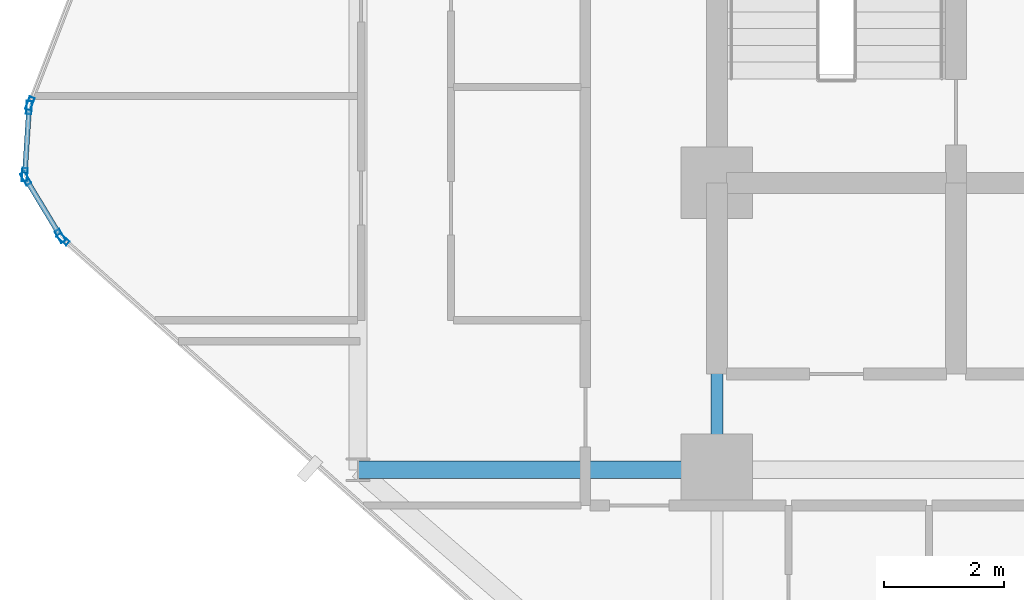
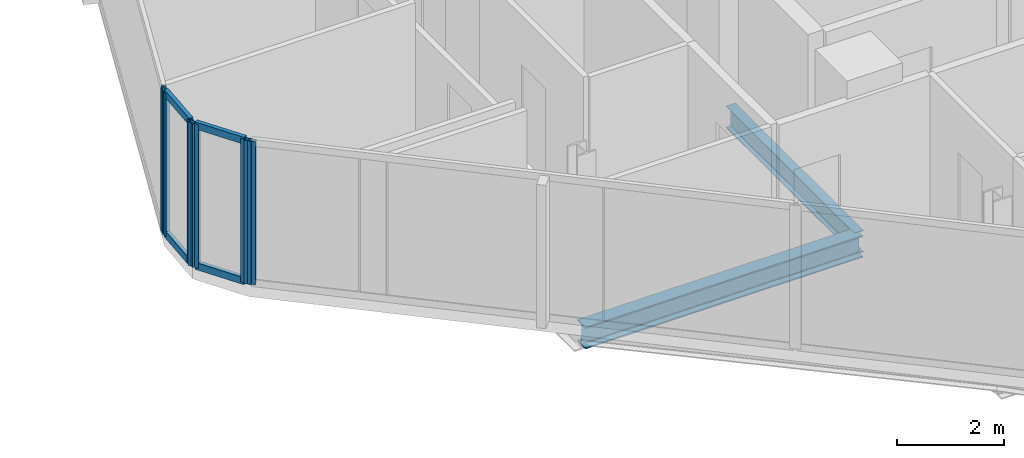
# One storey, part 6 of 34: 10 members, 2 beams, 4 elements without a shape of their own.
"""IFC4 building model written with IfcOpenShell, lengths in metres."""

from ifc_helpers import new_model, si_unit, direction, frame, origin, origin_2d, place, context, subcontext, project, spatial, hollow_rectangle, i_section, extrude, material, layer, layer_set, material_profile, profile_set, type_object, element, aggregate, save


model = new_model("IFC4")

# Units and contexts
model_context = context("Model", 3, precision=1e-05, world=origin(), true_north=direction((0.0, 1.0)))
body_context = subcontext(model_context, "Body", "Model", "MODEL_VIEW")
ifc_project = project(units=[si_unit("LENGTHUNIT", "METRE"), si_unit("AREAUNIT", "SQUARE_METRE"), si_unit("VOLUMEUNIT", "CUBIC_METRE"), si_unit("PLANEANGLEUNIT", "RADIAN"), si_unit("MASSUNIT", "GRAM", prefix="KILO")], contexts=[model_context])

# Site, building, storey
site_placement = place(None, origin())
site = spatial("IfcSite", under=ifc_project, at=site_placement, CompositionType="ELEMENT")
building_placement = place(site_placement, origin())
building = spatial("IfcBuilding", under=site, at=building_placement, Name="Keshet Zoharim Tower", CompositionType="ELEMENT")
storey_placement = place(building_placement, frame((0.0, 0.0, 77.5)))
storey = spatial("IfcBuildingStorey", under=building, at=storey_placement, Name="L18", CompositionType="ELEMENT", Elevation=77.5)

# Beams
ifc_material_1 = material(Name="Steel S355", Category="steel")
ifc_material_profile_1 = material_profile(ifc_material_1, i_section(OverallWidth=0.199951171875, OverallDepth=0.5, WebThickness=0.01025390625, FlangeThickness=0.01611328125, FilletRadius=0.02099609375, at=origin_2d()), Name="IPE500")
ifc_profile_set_1 = profile_set([ifc_material_profile_1], Name="Steel S355")
beam_type_1 = type_object("IfcBeamType", Name="BM-PRI-IP500", PredefinedType="BEAM", material=ifc_profile_set_1)
beam_1_placement = place(storey_placement, frame((15.0, 17.89990234375, -0.56494140625), z_axis=(0.0, 1.0, 0.0), x_axis=(-1.0, 0.0, 0.0)))
element("IfcBeam", 1, at=beam_1_placement, inside=storey, type_object=beam_type_1, Name="L18 Primary Girder Y-003", PredefinedType="BEAM", context=body_context, shape_type="SweptSolid", body=[
    extrude(i_section(OverallWidth=0.199951171875, OverallDepth=0.5, WebThickness=0.01025390625, FlangeThickness=0.01611328125, FilletRadius=0.02099609375, at=origin_2d()), origin(), (0.0, 0.0, 1.0), 4.800048828125),
])
ifc_material_profile_2 = material_profile(ifc_material_1, i_section(OverallWidth=0.300048828125, OverallDepth=0.5, WebThickness=0.014404296875, FlangeThickness=0.028076171875, FilletRadius=0.027099609375, at=origin_2d()), Name="HEB500")
ifc_profile_set_2 = profile_set([ifc_material_profile_2], Name="Steel S355")
beam_type_2 = type_object("IfcBeamType", Name="BM-WEB-HB500", PredefinedType="BEAM", material=ifc_profile_set_2)
beam_2_placement = place(storey_placement, frame((9.0, 17.89990234375, -0.56494140625), z_axis=(1.0, 0.0, 0.0), x_axis=(0.0, 1.0, 0.0)))
element("IfcBeam", 2, at=beam_2_placement, inside=storey, type_object=beam_type_2, Name="L18 Primary Girder X-015", PredefinedType="BEAM", context=body_context, shape_type="SweptSolid", body=[
    extrude(i_section(OverallWidth=0.300048828125, OverallDepth=0.5, WebThickness=0.014404296875, FlangeThickness=0.028076171875, FilletRadius=0.027099609375, at=origin_2d()), origin(), (0.0, 0.0, 1.0), 6.0),
])

# Curtain wall, member
ifc_material_2 = material(Name="Aluminium 6063-T6", Category="aluminium")
ifc_layer = layer(ifc_material_2, 0.179931640625)
ifc_layer_set = layer_set([ifc_layer], Name="Aluminium 6063-T6")
curtain_wall_type = type_object("IfcCurtainWallType", Name="CW-SYS-01", PredefinedType="NOTDEFINED", material=ifc_layer_set)
curtain_wall_1_placement = place(storey_placement, origin())
curtain_wall_1 = element("IfcCurtainWall", 3, at=curtain_wall_1_placement, inside=storey, type_object=curtain_wall_type, Name="L18 Unitised Curtain Wall 01 Part 2", PredefinedType="NOTDEFINED")
ifc_material_profile_3 = material_profile(ifc_material_2, hollow_rectangle(XDim=0.090087890625, YDim=0.219970703125, WallThickness=0.0048828125, at=origin_2d()), Name="MUL-90x220")
ifc_profile_set_3 = profile_set([ifc_material_profile_3], Name="Aluminium 6063-T6")
member_type_1 = type_object("IfcMemberType", Name="CWM-M22", PredefinedType="MULLION", material=ifc_profile_set_3)
member_1_placement = place(storey_placement, frame((4.061279296875, 21.7568359375, 0.0), z_axis=(0.0, 0.0, 1.0), x_axis=(-0.664363542406, -0.747409582171, 0.0)))
member_1 = element("IfcMember", 4, at=member_1_placement, type_object=member_type_1, Name="CW-01 mullion 3", PredefinedType="MULLION", context=body_context, shape_type="SweptSolid", body=[
    extrude(hollow_rectangle(XDim=0.090087890625, YDim=0.219970703125, WallThickness=0.0048828125, at=origin_2d()), origin(), (0.0, 0.0, 1.0), 3.280029296875),
])
aggregate(curtain_wall_1, [member_1])

# Curtain wall, members
curtain_wall_2_placement = place(storey_placement, origin())
curtain_wall_2 = element("IfcCurtainWall", 5, at=curtain_wall_2_placement, inside=storey, type_object=curtain_wall_type, Name="L18 Unitised Curtain Wall 02", PredefinedType="NOTDEFINED")
member_2_placement = place(storey_placement, frame((4.016845703125, 21.81005859375, 0.0), z_axis=(0.0, 0.0, 1.0), x_axis=(-0.856826433805, -0.515604947933, 0.0)))
member_2 = element("IfcMember", 6, at=member_2_placement, type_object=member_type_1, Name="CW-01 mullion 1", PredefinedType="MULLION", context=body_context, shape_type="SweptSolid", body=[
    extrude(hollow_rectangle(XDim=0.090087890625, YDim=0.219970703125, WallThickness=0.0048828125, at=origin_2d()), origin(), (0.0, 0.0, 1.0), 3.280029296875),
])
member_3_placement = place(storey_placement, frame((3.43798828125, 22.77197265625, 0.0), z_axis=(0.0, 0.0, 1.0), x_axis=(-0.856826433805, -0.515604947933, 0.0)))
member_3 = element("IfcMember", 7, at=member_3_placement, type_object=member_type_1, Name="CW-01 mullion 2", PredefinedType="MULLION", context=body_context, shape_type="SweptSolid", body=[
    extrude(hollow_rectangle(XDim=0.090087890625, YDim=0.219970703125, WallThickness=0.0048828125, at=origin_2d()), origin(), (0.0, 0.0, 1.0), 3.280029296875),
])

curtain_wall_3_placement = place(storey_placement, origin())
curtain_wall_3 = element("IfcCurtainWall", 8, at=curtain_wall_3_placement, inside=storey, type_object=curtain_wall_type, Name="L18 Unitised Curtain Wall 03", PredefinedType="NOTDEFINED")
member_4_placement = place(storey_placement, frame((3.42236328125, 22.8369140625, 0.0), z_axis=(0.0, 0.0, 1.0), x_axis=(-0.997916617186, 0.064516859374, 0.0)))
member_4 = element("IfcMember", 9, at=member_4_placement, type_object=member_type_1, Name="CW-01 mullion 1", PredefinedType="MULLION", context=body_context, shape_type="SweptSolid", body=[
    extrude(hollow_rectangle(XDim=0.090087890625, YDim=0.219970703125, WallThickness=0.0048828125, at=origin_2d()), origin(), (0.0, 0.0, 1.0), 3.280029296875),
])
member_5_placement = place(storey_placement, frame((3.49462890625, 23.9580078125, 0.0), z_axis=(0.0, 0.0, 1.0), x_axis=(-0.997916617186, 0.064516859374, 0.0)))
member_5 = element("IfcMember", 10, at=member_5_placement, type_object=member_type_1, Name="CW-01 mullion 2", PredefinedType="MULLION", context=body_context, shape_type="SweptSolid", body=[
    extrude(hollow_rectangle(XDim=0.090087890625, YDim=0.219970703125, WallThickness=0.0048828125, at=origin_2d()), origin(), (0.0, 0.0, 1.0), 3.280029296875),
])

# Curtain wall, member
curtain_wall_4_placement = place(storey_placement, origin())
curtain_wall_4 = element("IfcCurtainWall", 11, at=curtain_wall_4_placement, inside=storey, type_object=curtain_wall_type, Name="L18 Unitised Curtain Wall 04", PredefinedType="NOTDEFINED")
member_6_placement = place(storey_placement, frame((3.509521484375, 24.025634765625, 0.0), z_axis=(0.0, 0.0, 1.0), x_axis=(-0.933341404361, 0.358990003907, 0.0)))
member_6 = element("IfcMember", 12, at=member_6_placement, type_object=member_type_1, Name="CW-01 mullion 1", PredefinedType="MULLION", context=body_context, shape_type="SweptSolid", body=[
    extrude(hollow_rectangle(XDim=0.090087890625, YDim=0.219970703125, WallThickness=0.0048828125, at=origin_2d()), origin(), (0.0, 0.0, 1.0), 3.280029296875),
])
aggregate(curtain_wall_4, [member_6])

# Member
ifc_material_profile_4 = material_profile(ifc_material_2, hollow_rectangle(XDim=0.0849609375, YDim=0.159912109375, WallThickness=0.00439453125, at=origin_2d()), Name="TRN-85x160")
ifc_profile_set_4 = profile_set([ifc_material_profile_4], Name="Aluminium 6063-T6")
member_type_2 = type_object("IfcMemberType", Name="CWT-T16", PredefinedType="USERDEFINED", material=ifc_profile_set_4)
member_7_placement = place(storey_placement, frame((3.9990234375, 21.840087890625, 0.034912109375), z_axis=(-0.515791194107, 0.856714330499, 0.0), x_axis=(-0.856714330499, -0.515791194107, 0.0)))
member_7 = element("IfcMember", 13, at=member_7_placement, type_object=member_type_2, Name="CW-01 transom 1.1", ObjectType="TRANSOM", PredefinedType="USERDEFINED", context=body_context, shape_type="SweptSolid", body=[
    extrude(hollow_rectangle(XDim=0.0849609375, YDim=0.159912109375, WallThickness=0.00439453125, at=origin_2d()), origin(), (0.0, 0.0, 1.0), 1.052734375),
])

member_8_placement = place(storey_placement, frame((3.9990234375, 21.840087890625, 3.2451171875), z_axis=(-0.515791194107, 0.856714330499, 0.0), x_axis=(-0.856714330499, -0.515791194107, 0.0)))
member_8 = element("IfcMember", 14, at=member_8_placement, type_object=member_type_2, Name="CW-01 transom 1.2", ObjectType="TRANSOM", PredefinedType="USERDEFINED", context=body_context, shape_type="SweptSolid", body=[
    extrude(hollow_rectangle(XDim=0.0849609375, YDim=0.159912109375, WallThickness=0.00439453125, at=origin_2d()), origin(), (0.0, 0.0, 1.0), 1.052734375),
])

aggregate(curtain_wall_2, [member_2, member_3, member_7, member_8])

member_9_placement = place(storey_placement, frame((3.424560546875, 22.871826171875, 0.034912109375), z_axis=(0.064426947155, 0.997922426083, 0.0), x_axis=(-0.997922426083, 0.064426947155, 0.0)))
member_9 = element("IfcMember", 15, at=member_9_placement, type_object=member_type_2, Name="CW-01 transom 1.1", ObjectType="TRANSOM", PredefinedType="USERDEFINED", context=body_context, shape_type="SweptSolid", body=[
    extrude(hollow_rectangle(XDim=0.0849609375, YDim=0.159912109375, WallThickness=0.00439453125, at=origin_2d()), origin(), (0.0, 0.0, 1.0), 1.053466796875),
])

member_10_placement = place(storey_placement, frame((3.424560546875, 22.871826171875, 3.2451171875), z_axis=(0.064426947155, 0.997922426083, 0.0), x_axis=(-0.997922426083, 0.064426947155, 0.0)))
member_10 = element("IfcMember", 16, at=member_10_placement, type_object=member_type_2, Name="CW-01 transom 1.2", ObjectType="TRANSOM", PredefinedType="USERDEFINED", context=body_context, shape_type="SweptSolid", body=[
    extrude(hollow_rectangle(XDim=0.0849609375, YDim=0.159912109375, WallThickness=0.00439453125, at=origin_2d()), origin(), (0.0, 0.0, 1.0), 1.053466796875),
])

aggregate(curtain_wall_3, [member_4, member_5, member_9, member_10])

save(model, "model.ifc")
